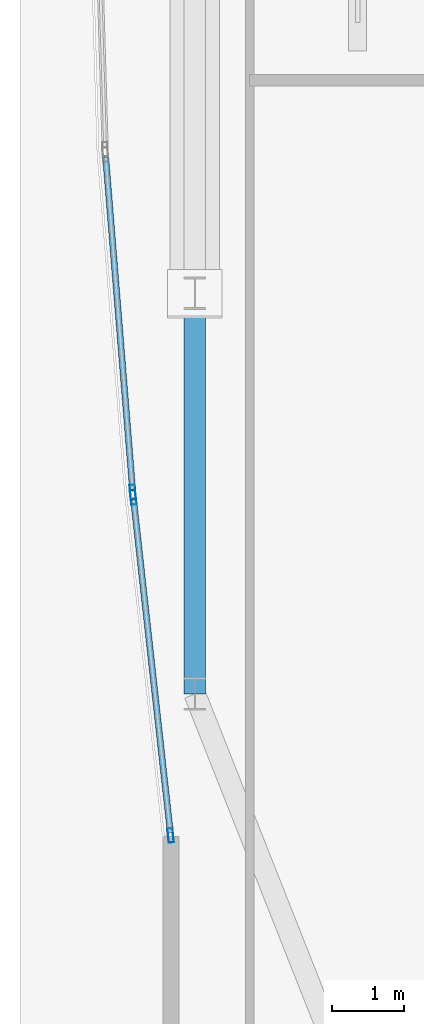
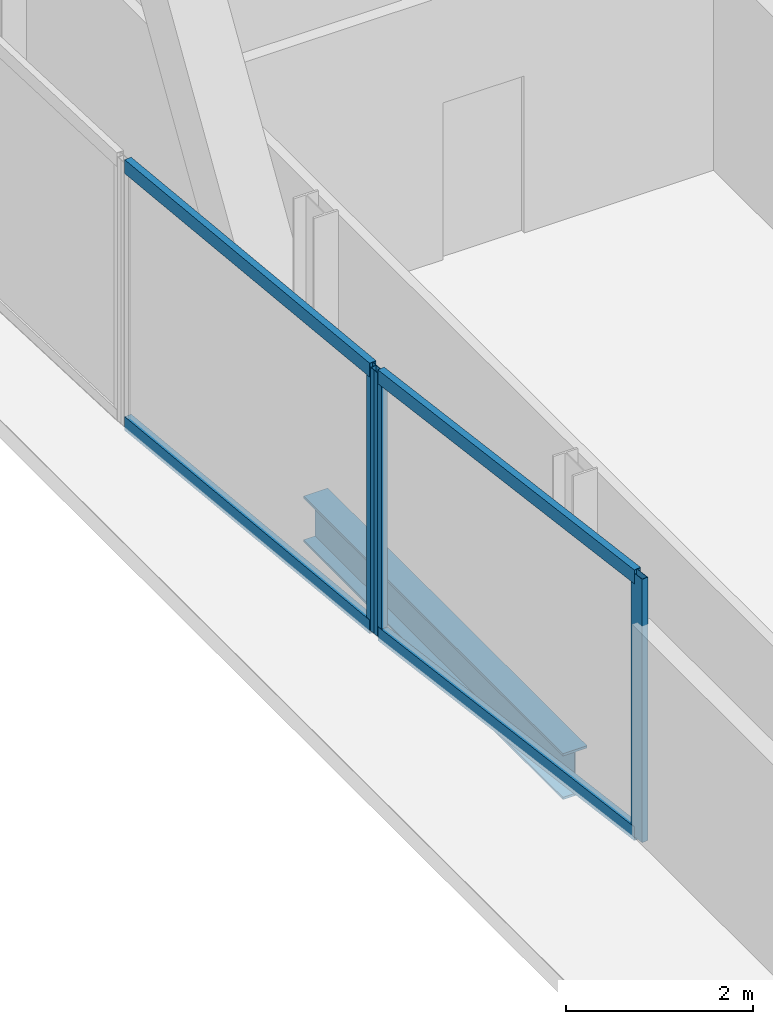
# One storey, part 6 of 30: 7 members, 1 beam, 2 elements without a shape of their own.
"""IFC4 building model written with IfcOpenShell, lengths in metres."""

from ifc_helpers import new_model, si_unit, direction, frame, origin, origin_2d, place, context, subcontext, project, spatial, hollow_rectangle, i_section, extrude, material, material_profile, profile_set, type_object, element, aggregate, save


model = new_model("IFC4")

# Units and contexts
model_context = context("Model", 3, precision=1e-05, world=origin(), true_north=direction((0.0, 1.0)))
body_context = subcontext(model_context, "Body", "Model", "MODEL_VIEW")
ifc_project = project(units=[si_unit("LENGTHUNIT", "METRE"), si_unit("AREAUNIT", "SQUARE_METRE"), si_unit("VOLUMEUNIT", "CUBIC_METRE"), si_unit("PLANEANGLEUNIT", "RADIAN"), si_unit("MASSUNIT", "GRAM", prefix="KILO")], contexts=[model_context])

# Site, building, storey
site_placement = place(None, origin())
site = spatial("IfcSite", under=ifc_project, at=site_placement, CompositionType="ELEMENT")
building_placement = place(site_placement, origin())
building = spatial("IfcBuilding", under=site, at=building_placement, Name="Khoronbel Lancet Exchange", CompositionType="ELEMENT")
storey_placement = place(building_placement, frame((0.0, 0.0, 239.0)))
storey = spatial("IfcBuildingStorey", under=building, at=storey_placement, Name="L61", CompositionType="ELEMENT", Elevation=239.0)

# Beam
ifc_material_1 = material(Name="Steel S355", Category="steel")
ifc_material_profile_1 = material_profile(ifc_material_1, i_section(OverallWidth=0.300048828125, OverallDepth=0.60009765625, WebThickness=0.015380859375, FlangeThickness=0.030029296875, at=origin_2d()), Name="HEB 600")
ifc_profile_set_1 = profile_set([ifc_material_profile_1], Name="Steel S355")
beam_type = type_object("IfcBeamType", Name="BM-BSP2", PredefinedType="SPANDREL", material=ifc_profile_set_1)
beam_placement = place(storey_placement, frame((9.27001953125, 24.75, -0.4599609375), z_axis=(0.0, -1.0, 0.0), x_axis=(1.0, 0.0, 0.0)))
element("IfcBeam", 1, at=beam_placement, inside=storey, type_object=beam_type, Name="Level L61 perimeter spandrel beam SP18", PredefinedType="SPANDREL", context=body_context, shape_type="SweptSolid", body=[
    extrude(i_section(OverallWidth=0.300048828125, OverallDepth=0.60009765625, WebThickness=0.015380859375, FlangeThickness=0.030029296875, at=origin_2d()), origin(), (0.0, 0.0, 1.0), 5.550048828125),
])

# Curtain wall, members
ifc_material_2 = material(Name="Low-E Solar Control Insulating Glass", Category="glass")
curtain_wall_type = type_object("IfcCurtainWallType", Name="CW-4", PredefinedType="NOTDEFINED", material=ifc_material_2)
curtain_wall_1_placement = place(storey_placement, origin())
curtain_wall_1 = element("IfcCurtainWall", 2, at=curtain_wall_1_placement, inside=storey, type_object=curtain_wall_type, Name="Unitised curtain wall CW-L61-E04", PredefinedType="NOTDEFINED")
ifc_material_3 = material(Name="Bronze-Anodised Aluminium 6063-T6", Category="aluminium")
ifc_material_profile_2 = material_profile(ifc_material_3, hollow_rectangle(XDim=0.074951171875, YDim=0.199951171875, WallThickness=0.0048828125, at=origin_2d()), Name="ALU MULLION 75x200")
ifc_profile_set_2 = profile_set([ifc_material_profile_2], Name="Bronze-Anodised Aluminium 6063-T6")
member_type_1 = type_object("IfcMemberType", Name="MEM-CWM2", PredefinedType="MULLION", material=ifc_profile_set_2)
member_1_placement = place(storey_placement, frame((8.935791015625, 17.2421875, 0.0), z_axis=(0.0, 0.0, 1.0), x_axis=(-0.993947317123, -0.109857775256, 0.0)))
member_1 = element("IfcMember", 3, at=member_1_placement, type_object=member_type_1, Name="CW4 mullion 1", PredefinedType="MULLION", context=body_context, shape_type="SweptSolid", body=[
    extrude(hollow_rectangle(XDim=0.074951171875, YDim=0.199951171875, WallThickness=0.0048828125, at=origin_2d()), origin(), (0.0, 0.0, 1.0), 3.43994140625),
])
member_2_placement = place(storey_placement, frame((8.418701171875, 21.92138671875, 0.0), z_axis=(0.0, 0.0, 1.0), x_axis=(-0.993947317123, -0.109857775256, 0.0)))
member_2 = element("IfcMember", 4, at=member_2_placement, type_object=member_type_1, Name="CW4 mullion 2", PredefinedType="MULLION", context=body_context, shape_type="SweptSolid", body=[
    extrude(hollow_rectangle(XDim=0.074951171875, YDim=0.199951171875, WallThickness=0.0048828125, at=origin_2d()), origin(), (0.0, 0.0, 1.0), 3.43994140625),
])

# Curtain wall, member
curtain_wall_2_placement = place(storey_placement, origin())
curtain_wall_2 = element("IfcCurtainWall", 5, at=curtain_wall_2_placement, inside=storey, type_object=curtain_wall_type, Name="Unitised curtain wall CW-L61-E05", PredefinedType="NOTDEFINED")
member_3_placement = place(storey_placement, frame((8.41162109375, 21.99609375, 0.0), z_axis=(0.0, 0.0, 1.0), x_axis=(-0.996743296731, -0.080639943095, 0.0)))
member_3 = element("IfcMember", 6, at=member_3_placement, type_object=member_type_1, Name="CW4 mullion 1", PredefinedType="MULLION", context=body_context, shape_type="SweptSolid", body=[
    extrude(hollow_rectangle(XDim=0.074951171875, YDim=0.199951171875, WallThickness=0.0048828125, at=origin_2d()), origin(), (0.0, 0.0, 1.0), 3.43994140625),
])

# Member
ifc_material_profile_3 = material_profile(ifc_material_3, hollow_rectangle(XDim=0.0849609375, YDim=0.179931640625, WallThickness=0.0048828125, at=origin_2d()), Name="ALU TRANSOM 85x180")
ifc_profile_set_3 = profile_set([ifc_material_profile_3], Name="Bronze-Anodised Aluminium 6063-T6")
member_type_2 = type_object("IfcMemberType", Name="MEM-CWT1", PredefinedType="USERDEFINED", material=ifc_profile_set_3)
member_4_placement = place(storey_placement, frame((8.931640625, 17.279541015625, 0.04248046875), z_axis=(-0.109829937442, 0.993950393552, 0.0), x_axis=(-0.993950393552, -0.109829937442, 0.0)))
member_4 = element("IfcMember", 7, at=member_4_placement, type_object=member_type_2, Name="CW4 transom 1.1", ObjectType="TRANSOM", PredefinedType="USERDEFINED", context=body_context, shape_type="SweptSolid", body=[
    extrude(hollow_rectangle(XDim=0.0849609375, YDim=0.179931640625, WallThickness=0.0048828125, at=origin_2d()), origin(), (0.0, 0.0, 1.0), 4.632568359375),
])

member_5_placement = place(storey_placement, frame((8.931640625, 17.279541015625, 3.3974609375), z_axis=(-0.109829937442, 0.993950393552, 0.0), x_axis=(-0.993950393552, -0.109829937442, 0.0)))
member_5 = element("IfcMember", 8, at=member_5_placement, type_object=member_type_2, Name="CW4 transom 1.2", ObjectType="TRANSOM", PredefinedType="USERDEFINED", context=body_context, shape_type="SweptSolid", body=[
    extrude(hollow_rectangle(XDim=0.0849609375, YDim=0.179931640625, WallThickness=0.0048828125, at=origin_2d()), origin(), (0.0, 0.0, 1.0), 4.632568359375),
])

aggregate(curtain_wall_1, [member_1, member_2, member_4, member_5])

member_6_placement = place(storey_placement, frame((8.408447265625, 22.033447265625, 0.04248046875), z_axis=(-0.080626814238, 0.996744358813, 0.0), x_axis=(-0.996744358813, -0.080626814238, 0.0)))
member_6 = element("IfcMember", 9, at=member_6_placement, type_object=member_type_2, Name="CW4 transom 1.1", ObjectType="TRANSOM", PredefinedType="USERDEFINED", context=body_context, shape_type="SweptSolid", body=[
    extrude(hollow_rectangle(XDim=0.0849609375, YDim=0.179931640625, WallThickness=0.0048828125, at=origin_2d()), origin(), (0.0, 0.0, 1.0), 4.611572265625),
])

member_7_placement = place(storey_placement, frame((8.408447265625, 22.033447265625, 3.3974609375), z_axis=(-0.080626814238, 0.996744358813, 0.0), x_axis=(-0.996744358813, -0.080626814238, 0.0)))
member_7 = element("IfcMember", 10, at=member_7_placement, type_object=member_type_2, Name="CW4 transom 1.2", ObjectType="TRANSOM", PredefinedType="USERDEFINED", context=body_context, shape_type="SweptSolid", body=[
    extrude(hollow_rectangle(XDim=0.0849609375, YDim=0.179931640625, WallThickness=0.0048828125, at=origin_2d()), origin(), (0.0, 0.0, 1.0), 4.611572265625),
])

aggregate(curtain_wall_2, [member_3, member_6, member_7])

save(model, "model.ifc")
